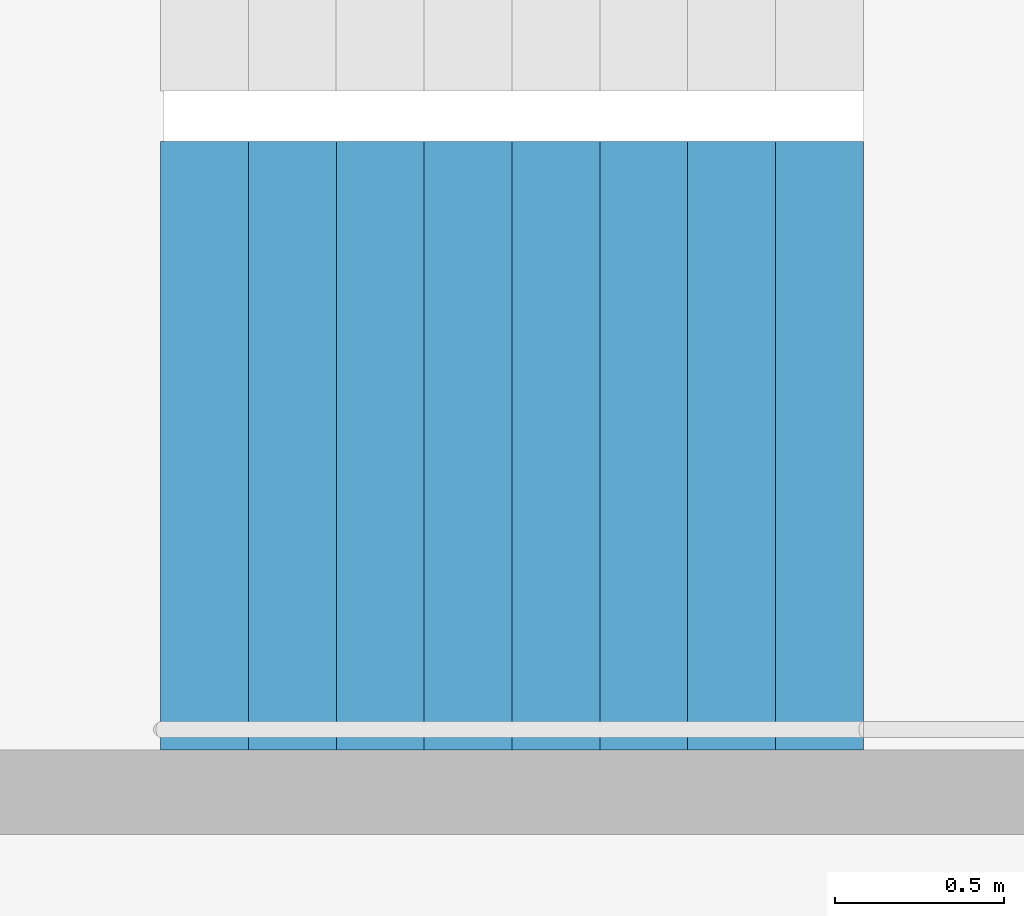
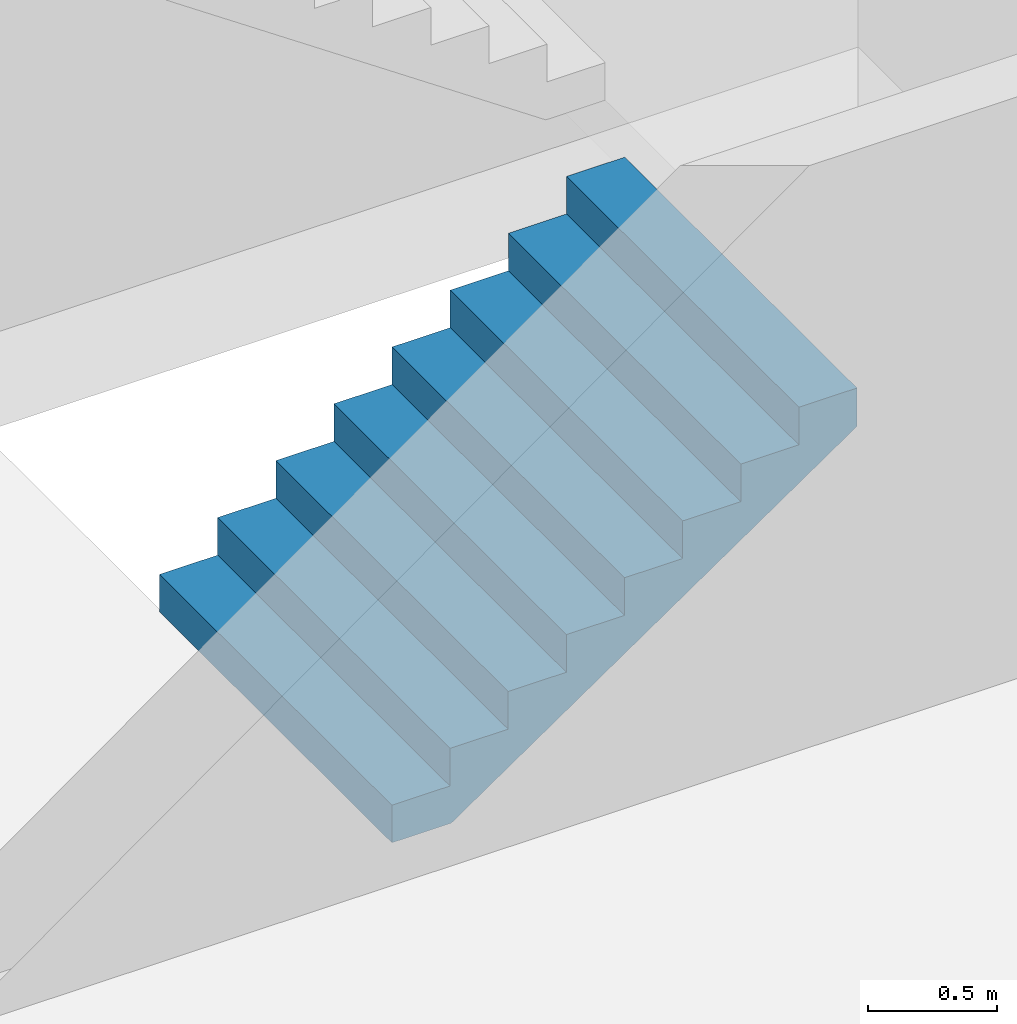
# One storey, part 19 of 29: 1 stair flight, 1 element without a shape of its own.
"""IFC4 building model written with IfcOpenShell, lengths in metres."""

from ifc_helpers import new_model, si_unit, direction, frame, origin, place, context, subcontext, project, spatial, triangles, material, type_object, element, aggregate, save


model = new_model("IFC4")

# Units and contexts
model_context = context("Model", 3, precision=1e-05, world=origin(), true_north=direction((0.0, 1.0)))
body_context = subcontext(model_context, "Body", "Model", "MODEL_VIEW")
ifc_project = project(units=[si_unit("LENGTHUNIT", "METRE"), si_unit("AREAUNIT", "SQUARE_METRE"), si_unit("VOLUMEUNIT", "CUBIC_METRE"), si_unit("PLANEANGLEUNIT", "RADIAN"), si_unit("MASSUNIT", "GRAM", prefix="KILO")], contexts=[model_context])

# Site, building, storey
site_placement = place(None, origin())
site = spatial("IfcSite", under=ifc_project, at=site_placement, CompositionType="ELEMENT")
building_placement = place(site_placement, origin())
building = spatial("IfcBuilding", under=site, at=building_placement, Name="Hakoniwa Tower and Hamabe Station Hall", CompositionType="ELEMENT")
storey_placement = place(building_placement, frame((0.0, 0.0, 258.199951171875)))
storey = spatial("IfcBuildingStorey", under=building, at=storey_placement, Name="L73", CompositionType="ELEMENT", Elevation=258.199951171875)

# Stair, stair flight
ifc_material_1 = material(Name="Concrete C40", Category="concrete")
stair_type = type_object("IfcStairType", Name="ESCAPE STAIR 1800", PredefinedType="HALF_TURN_STAIR", material=ifc_material_1)
stair_placement = place(storey_placement, origin())
stair = element("IfcStair", 1, at=stair_placement, inside=storey, type_object=stair_type, Name="Escape stair ST-1 L73", PredefinedType="HALF_TURN_STAIR")
ifc_material_2 = material(Name="Concrete C40", Category="concrete")
stair_flight_type = type_object("IfcStairFlightType", Name="STAIR FLIGHT 1800", PredefinedType="STRAIGHT", material=ifc_material_2)
stair_flight_placement = place(storey_placement, frame((-24.39990234375, 4.64990234375, 0.0), z_axis=(0.0, 0.0, 1.0), x_axis=(1.0, 0.0, 0.0)))
stair_flight = element("IfcStairFlight", 2, at=stair_flight_placement, type_object=stair_flight_type, Name="ST-1 flight 1", NumberOfRisers=9, NumberOfTreads=8, PredefinedType="STRAIGHT", RiserHeight=0.177777778, TreadLength=0.26, context=body_context, shape_type="Tessellation", body=[
    triangles([(0.0, 0.89990234375, 0.0), (0.260009765625, 0.89990234375, 0.0), (0.265625, 0.89990234375, 0.0), (0.52001953125, 0.89990234375, 0.174072265625), (0.780029296875, 0.89990234375, 0.351806640625), (1.0400390625, 0.89990234375, 0.529541015625), (1.300048828125, 0.89990234375, 0.707275390625), (1.56005859375, 0.89990234375, 0.885009765625), (1.820068359375, 0.89990234375, 1.062744140625), (2.080078125, 0.89990234375, 1.24072265625), (2.080078125, 0.89990234375, 1.422119140625), (1.820068359375, 0.89990234375, 1.422119140625), (1.820068359375, 0.89990234375, 1.244384765625), (1.56005859375, 0.89990234375, 1.244384765625), (1.56005859375, 0.89990234375, 1.066650390625), (1.300048828125, 0.89990234375, 1.066650390625), (1.300048828125, 0.89990234375, 0.888916015625), (1.0400390625, 0.89990234375, 0.888916015625), (1.0400390625, 0.89990234375, 0.711181640625), (0.780029296875, 0.89990234375, 0.711181640625), (0.780029296875, 0.89990234375, 0.533447265625), (0.52001953125, 0.89990234375, 0.533447265625), (0.52001953125, 0.89990234375, 0.35546875), (0.265625, 0.89990234375, 0.35546875), (0.260009765625, 0.89990234375, 0.35546875), (0.260009765625, 0.89990234375, 0.177734375), (0.0, 0.89990234375, 0.177734375), (0.0, 0.06005859375, 0.0), (0.260009765625, 0.06005859375, 0.0), (0.265625, 0.06005859375, 0.0), (0.52001953125, 0.06005859375, 0.174072265625), (0.780029296875, 0.06005859375, 0.351806640625), (1.0400390625, 0.06005859375, 0.529541015625), (1.300048828125, 0.06005859375, 0.707275390625), (1.56005859375, 0.06005859375, 0.885009765625), (1.820068359375, 0.06005859375, 1.062744140625), (2.080078125, 0.06005859375, 1.24072265625), (2.080078125, 0.06005859375, 1.422119140625), (1.820068359375, 0.06005859375, 1.422119140625), (1.820068359375, 0.06005859375, 1.244384765625), (1.56005859375, 0.06005859375, 1.244384765625), (1.56005859375, 0.06005859375, 1.066650390625), (1.300048828125, 0.06005859375, 1.066650390625), (1.300048828125, 0.06005859375, 0.888916015625), (1.0400390625, 0.06005859375, 0.888916015625), (1.0400390625, 0.06005859375, 0.711181640625), (0.780029296875, 0.06005859375, 0.711181640625), (0.780029296875, 0.06005859375, 0.533447265625), (0.52001953125, 0.06005859375, 0.533447265625), (0.52001953125, 0.06005859375, 0.35546875), (0.265625, 0.06005859375, 0.35546875), (0.260009765625, 0.06005859375, 0.35546875), (0.260009765625, 0.06005859375, 0.177734375), (0.0, 0.06005859375, 0.177734375), (0.0, 0.04296875, 0.0), (0.260009765625, 0.04296875, 0.0), (0.265625, 0.04296875, 0.0), (0.52001953125, 0.04296875, 0.174072265625), (0.780029296875, 0.04296875, 0.351806640625), (1.0400390625, 0.04296875, 0.529541015625), (1.300048828125, 0.04296875, 0.707275390625), (1.56005859375, 0.04296875, 0.885009765625), (1.820068359375, 0.04296875, 1.062744140625), (2.080078125, 0.04296875, 1.24072265625), (2.080078125, 0.04296875, 1.422119140625), (1.820068359375, 0.04296875, 1.422119140625), (1.820068359375, 0.04296875, 1.244384765625), (1.56005859375, 0.04296875, 1.244384765625), (1.56005859375, 0.04296875, 1.066650390625), (1.300048828125, 0.04296875, 1.066650390625), (1.300048828125, 0.04296875, 0.888916015625), (1.0400390625, 0.04296875, 0.888916015625), (1.0400390625, 0.04296875, 0.711181640625), (0.780029296875, 0.04296875, 0.711181640625), (0.780029296875, 0.04296875, 0.533447265625), (0.52001953125, 0.04296875, 0.533447265625), (0.52001953125, 0.04296875, 0.35546875), (0.265625, 0.04296875, 0.35546875), (0.260009765625, 0.04296875, 0.35546875), (0.260009765625, 0.04296875, 0.177734375), (0.0, 0.04296875, 0.177734375), (0.0, 0.025634765625, 0.0), (0.260009765625, 0.025634765625, 0.0), (0.265625, 0.025634765625, 0.0), (0.52001953125, 0.025634765625, 0.174072265625), (0.780029296875, 0.025634765625, 0.351806640625), (1.0400390625, 0.025634765625, 0.529541015625), (1.300048828125, 0.025634765625, 0.707275390625), (1.56005859375, 0.025634765625, 0.885009765625), (1.820068359375, 0.025634765625, 1.062744140625), (2.080078125, 0.025634765625, 1.24072265625), (2.080078125, 0.025634765625, 1.422119140625), (1.820068359375, 0.025634765625, 1.422119140625), (1.820068359375, 0.025634765625, 1.244384765625), (1.56005859375, 0.025634765625, 1.244384765625), (1.56005859375, 0.025634765625, 1.066650390625), (1.300048828125, 0.025634765625, 1.066650390625), (1.300048828125, 0.025634765625, 0.888916015625), (1.0400390625, 0.025634765625, 0.888916015625), (1.0400390625, 0.025634765625, 0.711181640625), (0.780029296875, 0.025634765625, 0.711181640625), (0.780029296875, 0.025634765625, 0.533447265625), (0.52001953125, 0.025634765625, 0.533447265625), (0.52001953125, 0.025634765625, 0.35546875), (0.265625, 0.025634765625, 0.35546875), (0.260009765625, 0.025634765625, 0.35546875), (0.260009765625, 0.025634765625, 0.177734375), (0.0, 0.025634765625, 0.177734375), (0.0, 0.008544921875, 0.0), (0.260009765625, 0.008544921875, 0.0), (0.265625, 0.008544921875, 0.0), (0.52001953125, 0.008544921875, 0.174072265625), (0.780029296875, 0.008544921875, 0.351806640625), (1.0400390625, 0.008544921875, 0.529541015625), (1.300048828125, 0.008544921875, 0.707275390625), (1.56005859375, 0.008544921875, 0.885009765625), (1.820068359375, 0.008544921875, 1.062744140625), (2.080078125, 0.008544921875, 1.24072265625), (2.080078125, 0.008544921875, 1.422119140625), (1.820068359375, 0.008544921875, 1.422119140625), (1.820068359375, 0.008544921875, 1.244384765625), (1.56005859375, 0.008544921875, 1.244384765625), (1.56005859375, 0.008544921875, 1.066650390625), (1.300048828125, 0.008544921875, 1.066650390625), (1.300048828125, 0.008544921875, 0.888916015625), (1.0400390625, 0.008544921875, 0.888916015625), (1.0400390625, 0.008544921875, 0.711181640625), (0.780029296875, 0.008544921875, 0.711181640625), (0.780029296875, 0.008544921875, 0.533447265625), (0.52001953125, 0.008544921875, 0.533447265625), (0.52001953125, 0.008544921875, 0.35546875), (0.265625, 0.008544921875, 0.35546875), (0.260009765625, 0.008544921875, 0.35546875), (0.260009765625, 0.008544921875, 0.177734375), (0.0, 0.008544921875, 0.177734375), (0.0, -0.008544921875, 0.0), (0.260009765625, -0.008544921875, 0.0), (0.265625, -0.008544921875, 0.0), (0.52001953125, -0.008544921875, 0.174072265625), (0.780029296875, -0.008544921875, 0.351806640625), (1.0400390625, -0.008544921875, 0.529541015625), (1.300048828125, -0.008544921875, 0.707275390625), (1.56005859375, -0.008544921875, 0.885009765625), (1.820068359375, -0.008544921875, 1.062744140625), (2.080078125, -0.008544921875, 1.24072265625), (2.080078125, -0.008544921875, 1.422119140625), (1.820068359375, -0.008544921875, 1.422119140625), (1.820068359375, -0.008544921875, 1.244384765625), (1.56005859375, -0.008544921875, 1.244384765625), (1.56005859375, -0.008544921875, 1.066650390625), (1.300048828125, -0.008544921875, 1.066650390625), (1.300048828125, -0.008544921875, 0.888916015625), (1.0400390625, -0.008544921875, 0.888916015625), (1.0400390625, -0.008544921875, 0.711181640625), (0.780029296875, -0.008544921875, 0.711181640625), (0.780029296875, -0.008544921875, 0.533447265625), (0.52001953125, -0.008544921875, 0.533447265625), (0.52001953125, -0.008544921875, 0.35546875), (0.265625, -0.008544921875, 0.35546875), (0.260009765625, -0.008544921875, 0.35546875), (0.260009765625, -0.008544921875, 0.177734375), (0.0, -0.008544921875, 0.177734375), (0.0, -0.025634765625, 0.0), (0.260009765625, -0.025634765625, 0.0), (0.265625, -0.025634765625, 0.0), (0.52001953125, -0.025634765625, 0.174072265625), (0.780029296875, -0.025634765625, 0.351806640625), (1.0400390625, -0.025634765625, 0.529541015625), (1.300048828125, -0.025634765625, 0.707275390625), (1.56005859375, -0.025634765625, 0.885009765625), (1.820068359375, -0.025634765625, 1.062744140625), (2.080078125, -0.025634765625, 1.24072265625), (2.080078125, -0.025634765625, 1.422119140625), (1.820068359375, -0.025634765625, 1.422119140625), (1.820068359375, -0.025634765625, 1.244384765625), (1.56005859375, -0.025634765625, 1.244384765625), (1.56005859375, -0.025634765625, 1.066650390625), (1.300048828125, -0.025634765625, 1.066650390625), (1.300048828125, -0.025634765625, 0.888916015625), (1.0400390625, -0.025634765625, 0.888916015625), (1.0400390625, -0.025634765625, 0.711181640625), (0.780029296875, -0.025634765625, 0.711181640625), (0.780029296875, -0.025634765625, 0.533447265625), (0.52001953125, -0.025634765625, 0.533447265625), (0.52001953125, -0.025634765625, 0.35546875), (0.265625, -0.025634765625, 0.35546875), (0.260009765625, -0.025634765625, 0.35546875), (0.260009765625, -0.025634765625, 0.177734375), (0.0, -0.025634765625, 0.177734375), (0.0, -0.04296875, 0.0), (0.260009765625, -0.04296875, 0.0), (0.265625, -0.04296875, 0.0), (0.52001953125, -0.04296875, 0.174072265625), (0.780029296875, -0.04296875, 0.351806640625), (1.0400390625, -0.04296875, 0.529541015625), (1.300048828125, -0.04296875, 0.707275390625), (1.56005859375, -0.04296875, 0.885009765625), (1.820068359375, -0.04296875, 1.062744140625), (2.080078125, -0.04296875, 1.24072265625), (2.080078125, -0.04296875, 1.422119140625), (1.820068359375, -0.04296875, 1.422119140625), (1.820068359375, -0.04296875, 1.244384765625), (1.56005859375, -0.04296875, 1.244384765625), (1.56005859375, -0.04296875, 1.066650390625), (1.300048828125, -0.04296875, 1.066650390625), (1.300048828125, -0.04296875, 0.888916015625), (1.0400390625, -0.04296875, 0.888916015625), (1.0400390625, -0.04296875, 0.711181640625), (0.780029296875, -0.04296875, 0.711181640625), (0.780029296875, -0.04296875, 0.533447265625), (0.52001953125, -0.04296875, 0.533447265625), (0.52001953125, -0.04296875, 0.35546875), (0.265625, -0.04296875, 0.35546875), (0.260009765625, -0.04296875, 0.35546875), (0.260009765625, -0.04296875, 0.177734375), (0.0, -0.04296875, 0.177734375), (0.0, -0.06005859375, 0.0), (0.260009765625, -0.06005859375, 0.0), (0.265625, -0.06005859375, 0.0), (0.52001953125, -0.06005859375, 0.174072265625), (0.780029296875, -0.06005859375, 0.351806640625), (1.0400390625, -0.06005859375, 0.529541015625), (1.300048828125, -0.06005859375, 0.707275390625), (1.56005859375, -0.06005859375, 0.885009765625), (1.820068359375, -0.06005859375, 1.062744140625), (2.080078125, -0.06005859375, 1.24072265625), (2.080078125, -0.06005859375, 1.422119140625), (1.820068359375, -0.06005859375, 1.422119140625), (1.820068359375, -0.06005859375, 1.244384765625), (1.56005859375, -0.06005859375, 1.244384765625), (1.56005859375, -0.06005859375, 1.066650390625), (1.300048828125, -0.06005859375, 1.066650390625), (1.300048828125, -0.06005859375, 0.888916015625), (1.0400390625, -0.06005859375, 0.888916015625), (1.0400390625, -0.06005859375, 0.711181640625), (0.780029296875, -0.06005859375, 0.711181640625), (0.780029296875, -0.06005859375, 0.533447265625), (0.52001953125, -0.06005859375, 0.533447265625), (0.52001953125, -0.06005859375, 0.35546875), (0.265625, -0.06005859375, 0.35546875), (0.260009765625, -0.06005859375, 0.35546875), (0.260009765625, -0.06005859375, 0.177734375), (0.0, -0.06005859375, 0.177734375), (0.0, -0.89990234375, 0.0), (0.260009765625, -0.89990234375, 0.0), (0.265625, -0.89990234375, 0.0), (0.52001953125, -0.89990234375, 0.174072265625), (0.780029296875, -0.89990234375, 0.351806640625), (1.0400390625, -0.89990234375, 0.529541015625), (1.300048828125, -0.89990234375, 0.707275390625), (1.56005859375, -0.89990234375, 0.885009765625), (1.820068359375, -0.89990234375, 1.062744140625), (2.080078125, -0.89990234375, 1.24072265625), (2.080078125, -0.89990234375, 1.422119140625), (1.820068359375, -0.89990234375, 1.422119140625), (1.820068359375, -0.89990234375, 1.244384765625), (1.56005859375, -0.89990234375, 1.244384765625), (1.56005859375, -0.89990234375, 1.066650390625), (1.300048828125, -0.89990234375, 1.066650390625), (1.300048828125, -0.89990234375, 0.888916015625), (1.0400390625, -0.89990234375, 0.888916015625), (1.0400390625, -0.89990234375, 0.711181640625), (0.780029296875, -0.89990234375, 0.711181640625), (0.780029296875, -0.89990234375, 0.533447265625), (0.52001953125, -0.89990234375, 0.533447265625), (0.52001953125, -0.89990234375, 0.35546875), (0.265625, -0.89990234375, 0.35546875), (0.260009765625, -0.89990234375, 0.35546875), (0.260009765625, -0.89990234375, 0.177734375), (0.0, -0.89990234375, 0.177734375)], [[2, 27, 26], [245, 269, 270], [2, 1, 27], [245, 270, 244], [3, 25, 24], [246, 267, 268], [3, 26, 25], [246, 268, 269], [3, 2, 26], [246, 269, 245], [4, 24, 23], [247, 266, 267], [4, 3, 24], [247, 267, 246], [5, 22, 21], [248, 264, 265], [5, 23, 22], [248, 265, 266], [5, 4, 23], [248, 266, 247], [6, 20, 19], [249, 262, 263], [6, 21, 20], [249, 263, 264], [6, 5, 21], [249, 264, 248], [7, 18, 17], [250, 260, 261], [7, 19, 18], [250, 261, 262], [7, 6, 19], [250, 262, 249], [8, 16, 15], [251, 258, 259], [8, 17, 16], [251, 259, 260], [8, 7, 17], [251, 260, 250], [9, 14, 13], [252, 256, 257], [9, 15, 14], [252, 257, 258], [9, 8, 15], [252, 258, 251], [10, 12, 11], [253, 254, 255], [10, 13, 12], [253, 255, 256], [10, 9, 13], [253, 256, 252], [1, 2, 29], [1, 29, 28], [28, 29, 56], [28, 56, 55], [55, 56, 83], [55, 83, 82], [82, 83, 110], [82, 110, 109], [109, 110, 137], [109, 137, 136], [136, 137, 164], [136, 164, 163], [163, 164, 191], [163, 191, 190], [190, 191, 218], [190, 218, 217], [217, 218, 245], [217, 245, 244], [2, 3, 30], [2, 30, 29], [29, 30, 57], [29, 57, 56], [56, 57, 84], [56, 84, 83], [83, 84, 111], [83, 111, 110], [110, 111, 138], [110, 138, 137], [137, 138, 165], [137, 165, 164], [164, 165, 192], [164, 192, 191], [191, 192, 219], [191, 219, 218], [218, 219, 246], [218, 246, 245], [3, 4, 31], [3, 31, 30], [30, 31, 58], [30, 58, 57], [57, 58, 85], [57, 85, 84], [84, 85, 112], [84, 112, 111], [111, 112, 139], [111, 139, 138], [138, 139, 166], [138, 166, 165], [165, 166, 193], [165, 193, 192], [192, 193, 220], [192, 220, 219], [219, 220, 247], [219, 247, 246], [4, 5, 32], [4, 32, 31], [31, 32, 59], [31, 59, 58], [58, 59, 86], [58, 86, 85], [85, 86, 113], [85, 113, 112], [112, 113, 140], [112, 140, 139], [139, 140, 167], [139, 167, 166], [166, 167, 194], [166, 194, 193], [193, 194, 221], [193, 221, 220], [220, 221, 248], [220, 248, 247], [5, 6, 33], [5, 33, 32], [32, 33, 60], [32, 60, 59], [59, 60, 87], [59, 87, 86], [86, 87, 114], [86, 114, 113], [113, 114, 141], [113, 141, 140], [140, 141, 168], [140, 168, 167], [167, 168, 195], [167, 195, 194], [194, 195, 222], [194, 222, 221], [221, 222, 249], [221, 249, 248], [6, 7, 34], [6, 34, 33], [33, 34, 61], [33, 61, 60], [60, 61, 88], [60, 88, 87], [87, 88, 115], [87, 115, 114], [114, 115, 142], [114, 142, 141], [141, 142, 169], [141, 169, 168], [168, 169, 196], [168, 196, 195], [195, 196, 223], [195, 223, 222], [222, 223, 250], [222, 250, 249], [7, 8, 35], [7, 35, 34], [34, 35, 62], [34, 62, 61], [61, 62, 89], [61, 89, 88], [88, 89, 116], [88, 116, 115], [115, 116, 143], [115, 143, 142], [142, 143, 170], [142, 170, 169], [169, 170, 197], [169, 197, 196], [196, 197, 224], [196, 224, 223], [223, 224, 251], [223, 251, 250], [8, 9, 36], [8, 36, 35], [35, 36, 63], [35, 63, 62], [62, 63, 90], [62, 90, 89], [89, 90, 117], [89, 117, 116], [116, 117, 144], [116, 144, 143], [143, 144, 171], [143, 171, 170], [170, 171, 198], [170, 198, 197], [197, 198, 225], [197, 225, 224], [224, 225, 252], [224, 252, 251], [9, 10, 37], [9, 37, 36], [36, 37, 64], [36, 64, 63], [63, 64, 91], [63, 91, 90], [90, 91, 118], [90, 118, 117], [117, 118, 145], [117, 145, 144], [144, 145, 172], [144, 172, 171], [171, 172, 199], [171, 199, 198], [198, 199, 226], [198, 226, 225], [225, 226, 253], [225, 253, 252], [10, 11, 38], [10, 38, 37], [37, 38, 65], [37, 65, 64], [64, 65, 92], [64, 92, 91], [91, 92, 119], [91, 119, 118], [118, 119, 146], [118, 146, 145], [145, 146, 173], [145, 173, 172], [172, 173, 200], [172, 200, 199], [199, 200, 227], [199, 227, 226], [226, 227, 254], [226, 254, 253], [11, 12, 39], [11, 39, 38], [38, 39, 66], [38, 66, 65], [65, 66, 93], [65, 93, 92], [92, 93, 120], [92, 120, 119], [119, 120, 147], [119, 147, 146], [146, 147, 174], [146, 174, 173], [173, 174, 201], [173, 201, 200], [200, 201, 228], [200, 228, 227], [227, 228, 255], [227, 255, 254], [12, 13, 40], [12, 40, 39], [39, 40, 67], [39, 67, 66], [66, 67, 94], [66, 94, 93], [93, 94, 121], [93, 121, 120], [120, 121, 148], [120, 148, 147], [147, 148, 175], [147, 175, 174], [174, 175, 202], [174, 202, 201], [201, 202, 229], [201, 229, 228], [228, 229, 256], [228, 256, 255], [13, 14, 41], [13, 41, 40], [40, 41, 68], [40, 68, 67], [67, 68, 95], [67, 95, 94], [94, 95, 122], [94, 122, 121], [121, 122, 149], [121, 149, 148], [148, 149, 176], [148, 176, 175], [175, 176, 203], [175, 203, 202], [202, 203, 230], [202, 230, 229], [229, 230, 257], [229, 257, 256], [14, 15, 42], [14, 42, 41], [41, 42, 69], [41, 69, 68], [68, 69, 96], [68, 96, 95], [95, 96, 123], [95, 123, 122], [122, 123, 150], [122, 150, 149], [149, 150, 177], [149, 177, 176], [176, 177, 204], [176, 204, 203], [203, 204, 231], [203, 231, 230], [230, 231, 258], [230, 258, 257], [15, 16, 43], [15, 43, 42], [42, 43, 70], [42, 70, 69], [69, 70, 97], [69, 97, 96], [96, 97, 124], [96, 124, 123], [123, 124, 151], [123, 151, 150], [150, 151, 178], [150, 178, 177], [177, 178, 205], [177, 205, 204], [204, 205, 232], [204, 232, 231], [231, 232, 259], [231, 259, 258], [16, 17, 44], [16, 44, 43], [43, 44, 71], [43, 71, 70], [70, 71, 98], [70, 98, 97], [97, 98, 125], [97, 125, 124], [124, 125, 152], [124, 152, 151], [151, 152, 179], [151, 179, 178], [178, 179, 206], [178, 206, 205], [205, 206, 233], [205, 233, 232], [232, 233, 260], [232, 260, 259], [17, 18, 45], [17, 45, 44], [44, 45, 72], [44, 72, 71], [71, 72, 99], [71, 99, 98], [98, 99, 126], [98, 126, 125], [125, 126, 153], [125, 153, 152], [152, 153, 180], [152, 180, 179], [179, 180, 207], [179, 207, 206], [206, 207, 234], [206, 234, 233], [233, 234, 261], [233, 261, 260], [18, 19, 46], [18, 46, 45], [45, 46, 73], [45, 73, 72], [72, 73, 100], [72, 100, 99], [99, 100, 127], [99, 127, 126], [126, 127, 154], [126, 154, 153], [153, 154, 181], [153, 181, 180], [180, 181, 208], [180, 208, 207], [207, 208, 235], [207, 235, 234], [234, 235, 262], [234, 262, 261], [19, 20, 47], [19, 47, 46], [46, 47, 74], [46, 74, 73], [73, 74, 101], [73, 101, 100], [100, 101, 128], [100, 128, 127], [127, 128, 155], [127, 155, 154], [154, 155, 182], [154, 182, 181], [181, 182, 209], [181, 209, 208], [208, 209, 236], [208, 236, 235], [235, 236, 263], [235, 263, 262], [20, 21, 48], [20, 48, 47], [47, 48, 75], [47, 75, 74], [74, 75, 102], [74, 102, 101], [101, 102, 129], [101, 129, 128], [128, 129, 156], [128, 156, 155], [155, 156, 183], [155, 183, 182], [182, 183, 210], [182, 210, 209], [209, 210, 237], [209, 237, 236], [236, 237, 264], [236, 264, 263], [21, 22, 49], [21, 49, 48], [48, 49, 76], [48, 76, 75], [75, 76, 103], [75, 103, 102], [102, 103, 130], [102, 130, 129], [129, 130, 157], [129, 157, 156], [156, 157, 184], [156, 184, 183], [183, 184, 211], [183, 211, 210], [210, 211, 238], [210, 238, 237], [237, 238, 265], [237, 265, 264], [22, 23, 50], [22, 50, 49], [49, 50, 77], [49, 77, 76], [76, 77, 104], [76, 104, 103], [103, 104, 131], [103, 131, 130], [130, 131, 158], [130, 158, 157], [157, 158, 185], [157, 185, 184], [184, 185, 212], [184, 212, 211], [211, 212, 239], [211, 239, 238], [238, 239, 266], [238, 266, 265], [23, 24, 51], [23, 51, 50], [50, 51, 78], [50, 78, 77], [77, 78, 105], [77, 105, 104], [104, 105, 132], [104, 132, 131], [131, 132, 159], [131, 159, 158], [158, 159, 186], [158, 186, 185], [185, 186, 213], [185, 213, 212], [212, 213, 240], [212, 240, 239], [239, 240, 267], [239, 267, 266], [24, 25, 52], [24, 52, 51], [51, 52, 79], [51, 79, 78], [78, 79, 106], [78, 106, 105], [105, 106, 133], [105, 133, 132], [132, 133, 160], [132, 160, 159], [159, 160, 187], [159, 187, 186], [186, 187, 214], [186, 214, 213], [213, 214, 241], [213, 241, 240], [240, 241, 268], [240, 268, 267], [25, 26, 53], [25, 53, 52], [52, 53, 80], [52, 80, 79], [79, 80, 107], [79, 107, 106], [106, 107, 134], [106, 134, 133], [133, 134, 161], [133, 161, 160], [160, 161, 188], [160, 188, 187], [187, 188, 215], [187, 215, 214], [214, 215, 242], [214, 242, 241], [241, 242, 269], [241, 269, 268], [26, 27, 54], [26, 54, 53], [53, 54, 81], [53, 81, 80], [80, 81, 108], [80, 108, 107], [107, 108, 135], [107, 135, 134], [134, 135, 162], [134, 162, 161], [161, 162, 189], [161, 189, 188], [188, 189, 216], [188, 216, 215], [215, 216, 243], [215, 243, 242], [242, 243, 270], [242, 270, 269], [27, 1, 28], [27, 28, 54], [54, 28, 55], [54, 55, 81], [81, 55, 82], [81, 82, 108], [108, 82, 109], [108, 109, 135], [135, 109, 136], [135, 136, 162], [162, 136, 163], [162, 163, 189], [189, 163, 190], [189, 190, 216], [216, 190, 217], [216, 217, 243], [243, 217, 244], [243, 244, 270]], closed=True),
])
aggregate(stair, [stair_flight])

save(model, "model.ifc")
